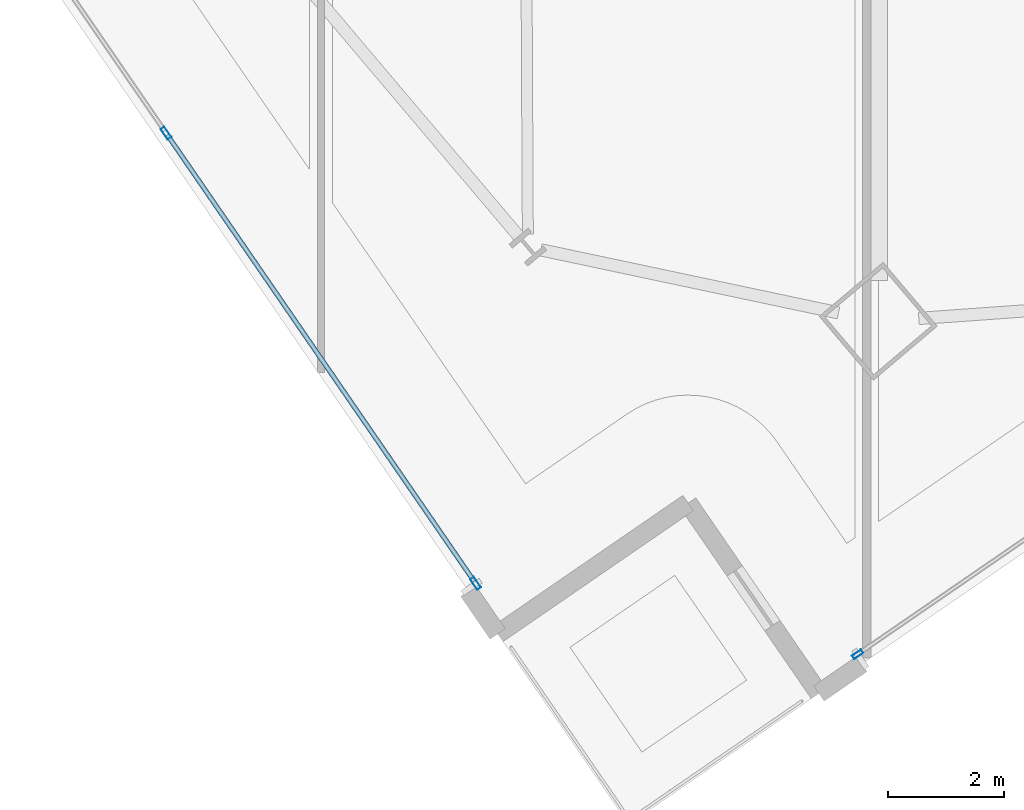
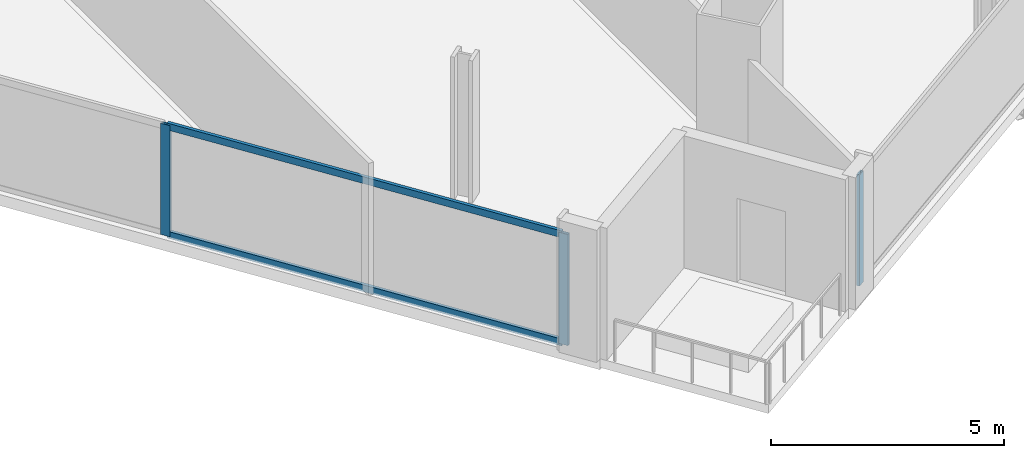
# One storey, part 2 of 29: 5 members, 2 elements without a shape of their own.
"""IFC4 building model written with IfcOpenShell, lengths in metres."""

from ifc_helpers import new_model, si_unit, direction, frame, origin, origin_2d, place, context, subcontext, project, spatial, hollow_rectangle, extrude, material, material_profile, profile_set, type_object, element, aggregate, save


model = new_model("IFC4")

# Units and contexts
model_context = context("Model", 3, precision=1e-05, world=origin(), true_north=direction((0.0, 1.0)))
body_context = subcontext(model_context, "Body", "Model", "MODEL_VIEW")
ifc_project = project(units=[si_unit("LENGTHUNIT", "METRE"), si_unit("AREAUNIT", "SQUARE_METRE"), si_unit("VOLUMEUNIT", "CUBIC_METRE"), si_unit("PLANEANGLEUNIT", "RADIAN"), si_unit("MASSUNIT", "GRAM", prefix="KILO")], contexts=[model_context])

# Site, building, storey
site_placement = place(None, origin())
site = spatial("IfcSite", under=ifc_project, at=site_placement, CompositionType="ELEMENT")
building_placement = place(site_placement, origin())
building = spatial("IfcBuilding", under=site, at=building_placement, Name="Haldenkirk Collegiate Tower", CompositionType="ELEMENT")
storey_placement = place(building_placement, frame((0.0, 0.0, 144.449951171875)))
storey = spatial("IfcBuildingStorey", under=building, at=storey_placement, Name="L35", CompositionType="ELEMENT", Elevation=144.449951171875)

# Curtain wall, member
ifc_material = material(Name="Anodised architectural bronze aluminium", Category="aluminium")
curtain_wall_type_1 = type_object("IfcCurtainWallType", Name="CW-SYS2-CONCAVE", PredefinedType="USERDEFINED", material=ifc_material)
curtain_wall_1_placement = place(storey_placement, origin())
curtain_wall_1 = element("IfcCurtainWall", 1, at=curtain_wall_1_placement, inside=storey, type_object=curtain_wall_type_1, Name="L35 South concave recessed bronze-anodised curtain wall", ObjectType="UNITISED CURTAIN WALL", PredefinedType="USERDEFINED")
ifc_material_profile_1 = material_profile(ifc_material, hollow_rectangle(XDim=0.074951171875, YDim=0.18994140625, WallThickness=0.0048828125, at=origin_2d()), Name="CW-MUL-02")
ifc_profile_set_1 = profile_set([ifc_material_profile_1], Name="Anodised architectural bronze aluminium")
member_type_1 = type_object("IfcMemberType", Name="CW-MUL-02", PredefinedType="MULLION", material=ifc_profile_set_1)
member_1_placement = place(storey_placement, frame((32.79296875, -5.107421875, 0.0), z_axis=(0.0, 0.0, 1.0), x_axis=(0.566404944893, -0.82412707661, 0.0)))
member_1 = element("IfcMember", 2, at=member_1_placement, type_object=member_type_1, Name="CW-02 mullion 5", PredefinedType="MULLION", context=body_context, shape_type="SweptSolid", body=[
    extrude(hollow_rectangle(XDim=0.074951171875, YDim=0.18994140625, WallThickness=0.0048828125, at=origin_2d()), origin(), (0.0, 0.0, 1.0), 2.9111328125),
])
aggregate(curtain_wall_1, [member_1])

# Curtain wall, members
curtain_wall_type_2 = type_object("IfcCurtainWallType", Name="CW-SYS1-CONVEX-LOW", PredefinedType="USERDEFINED", material=ifc_material)
curtain_wall_2_placement = place(storey_placement, origin())
curtain_wall_2 = element("IfcCurtainWall", 3, at=curtain_wall_2_placement, inside=storey, type_object=curtain_wall_type_2, Name="L35 Lower tower convex bronze-framed unitised curtain wall", ObjectType="UNITISED CURTAIN WALL", PredefinedType="USERDEFINED")
ifc_material_profile_2 = material_profile(ifc_material, hollow_rectangle(XDim=0.080078125, YDim=0.219970703125, WallThickness=0.0048828125, at=origin_2d()), Name="CW-MUL-1A")
ifc_profile_set_2 = profile_set([ifc_material_profile_2], Name="Anodised architectural bronze aluminium")
member_type_2 = type_object("IfcMemberType", Name="CW-MUL-1A", PredefinedType="MULLION", material=ifc_profile_set_2)
member_2_placement = place(storey_placement, frame((26.176025390625, -3.87939453125, 0.0), z_axis=(0.0, 0.0, 1.0), x_axis=(-0.8241287566, -0.566402500476, 0.0)))
member_2 = element("IfcMember", 4, at=member_2_placement, type_object=member_type_2, Name="CW-1A mullion 1", PredefinedType="MULLION", context=body_context, shape_type="SweptSolid", body=[
    extrude(hollow_rectangle(XDim=0.080078125, YDim=0.219970703125, WallThickness=0.0048828125, at=origin_2d()), origin(), (0.0, 0.0, 1.0), 2.9111328125),
])
member_3_placement = place(storey_placement, frame((20.81787109375, 3.9169921875, 0.0), z_axis=(0.0, 0.0, 1.0), x_axis=(-0.8241287566, -0.566402500476, 0.0)))
member_3 = element("IfcMember", 5, at=member_3_placement, type_object=member_type_2, Name="CW-1A mullion 2", PredefinedType="MULLION", context=body_context, shape_type="SweptSolid", body=[
    extrude(hollow_rectangle(XDim=0.080078125, YDim=0.219970703125, WallThickness=0.0048828125, at=origin_2d()), origin(), (0.0, 0.0, 1.0), 2.9111328125),
])
ifc_material_profile_3 = material_profile(ifc_material, hollow_rectangle(XDim=0.080078125, YDim=0.179931640625, WallThickness=0.0048828125, at=origin_2d()), Name="CW-TRN-1A")
ifc_profile_set_3 = profile_set([ifc_material_profile_3], Name="Anodised architectural bronze aluminium")
member_type_3 = type_object("IfcMemberType", Name="CW-TRN-1A", PredefinedType="USERDEFINED", material=ifc_profile_set_3)
member_4_placement = place(storey_placement, frame((26.1533203125, -3.846435546875, 0.0400390625), z_axis=(-0.566405100749, 0.824126969493, 0.0), x_axis=(-0.824126969493, -0.566405100749, 0.0)))
member_4 = element("IfcMember", 6, at=member_4_placement, type_object=member_type_3, Name="CW-1A transom 1.1", ObjectType="TRANSOM", PredefinedType="USERDEFINED", context=body_context, shape_type="SweptSolid", body=[
    extrude(hollow_rectangle(XDim=0.080078125, YDim=0.179931640625, WallThickness=0.0048828125, at=origin_2d()), origin(), (0.0, 0.0, 1.0), 9.380126953125),
])
member_5_placement = place(storey_placement, frame((26.1533203125, -3.846435546875, 2.87109375), z_axis=(-0.566405100749, 0.824126969493, 0.0), x_axis=(-0.824126969493, -0.566405100749, 0.0)))
member_5 = element("IfcMember", 7, at=member_5_placement, type_object=member_type_3, Name="CW-1A transom 1.2", ObjectType="TRANSOM", PredefinedType="USERDEFINED", context=body_context, shape_type="SweptSolid", body=[
    extrude(hollow_rectangle(XDim=0.080078125, YDim=0.179931640625, WallThickness=0.0048828125, at=origin_2d()), origin(), (0.0, 0.0, 1.0), 9.380126953125),
])
aggregate(curtain_wall_2, [member_2, member_3, member_4, member_5])

save(model, "model.ifc")
